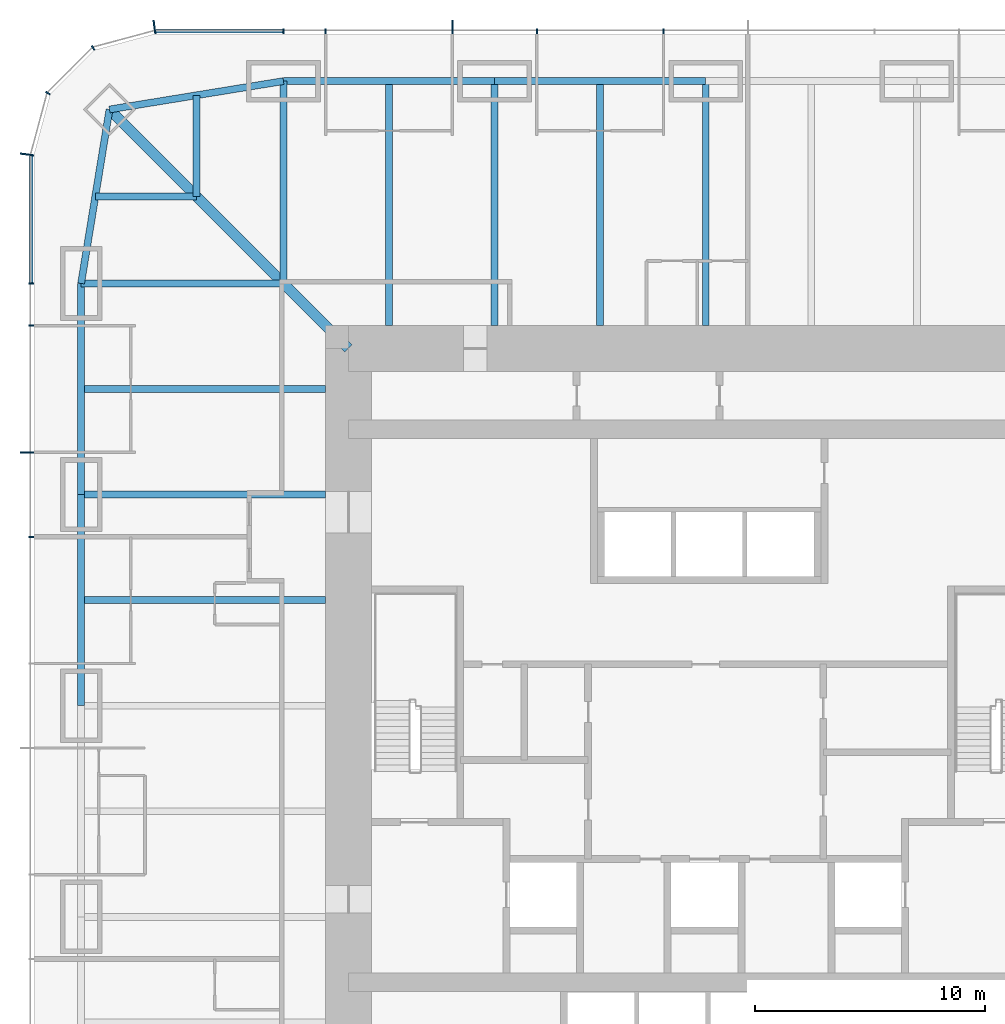
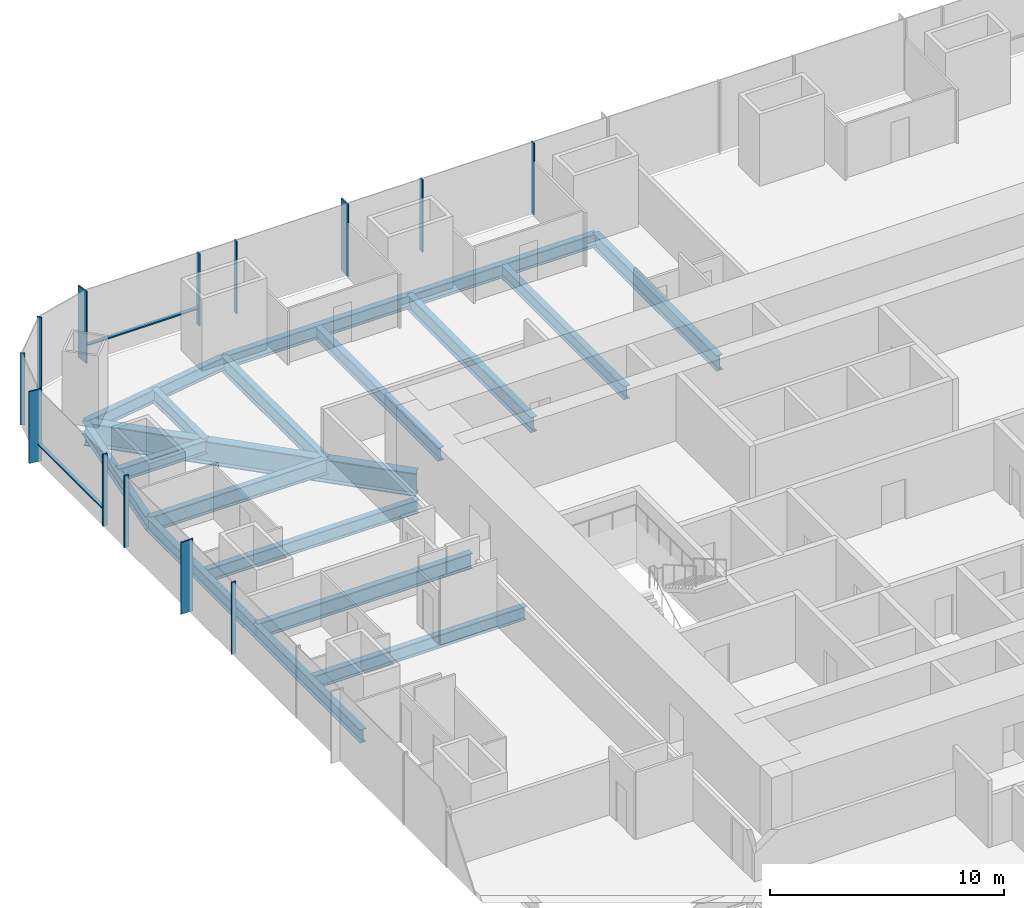
# One storey, part 5 of 13: 18 beams, 15 members, 3 elements without a shape of their own.
"""IFC4 building model written with IfcOpenShell, lengths in metres."""

from ifc_helpers import new_model, si_unit, direction, frame, origin, origin_2d, place, context, subcontext, project, spatial, rectangle, i_section, extrude, material, material_profile, profile_set, type_object, element, aggregate, save


model = new_model("IFC4")

# Units and contexts
model_context = context("Model", 3, precision=1e-05, world=origin(), true_north=direction((0.0, 1.0)))
body_context = subcontext(model_context, "Body", "Model", "MODEL_VIEW")
ifc_project = project(units=[si_unit("LENGTHUNIT", "METRE"), si_unit("AREAUNIT", "SQUARE_METRE"), si_unit("VOLUMEUNIT", "CUBIC_METRE"), si_unit("PLANEANGLEUNIT", "RADIAN"), si_unit("MASSUNIT", "GRAM", prefix="KILO")], contexts=[model_context])

# Site, building, storey
site_placement = place(None, origin())
site = spatial("IfcSite", under=ifc_project, at=site_placement, CompositionType="ELEMENT")
building_placement = place(site_placement, origin())
building = spatial("IfcBuilding", under=site, at=building_placement, Name="Khuree Lantern Residences", CompositionType="ELEMENT")
storey_placement = place(building_placement, frame((0.0, 0.0, 118.5)))
storey = spatial("IfcBuildingStorey", under=building, at=storey_placement, Name="L29", CompositionType="ELEMENT", Elevation=118.5)

# Beams
ifc_material_1 = material(Name="Steel S355", Category="steel")
ifc_material_profile_1 = material_profile(ifc_material_1, i_section(OverallWidth=0.300048828125, OverallDepth=0.68994140625, WebThickness=0.014404296875, FlangeThickness=0.027099609375, FilletRadius=0.027099609375, at=origin_2d()), Name="HE 700 A")
ifc_profile_set_1 = profile_set([ifc_material_profile_1], Name="Steel S355")
beam_type_1 = type_object("IfcBeamType", Name="B-21A SECONDARY BEAM HE 700 A", PredefinedType="BEAM", material=ifc_profile_set_1)
for number, where, z_axis, x_axis, name in (
    (1, (-13.739990234375, 27.10009765625, -0.594970703125), (0.0, -1.0, 0.0), (1.0, 0.0, 0.0), "Secondary beam N1"),
    (2, (-4.580078125, 27.10009765625, -0.594970703125), (0.0, -1.0, 0.0), (1.0, 0.0, 0.0), "Secondary beam N2"),
    (3, (-27.10009765625, 4.580078125, -0.594970703125), (1.0, 0.0, 0.0), (0.0, 1.0, 0.0), "Secondary beam W4"),
    (4, (-27.10009765625, 13.739990234375, -0.594970703125), (1.0, 0.0, 0.0), (0.0, 1.0, 0.0), "Secondary beam W5"),
):
    element("IfcBeam", number, at=place(storey_placement, frame(where, z_axis=z_axis, x_axis=x_axis)), inside=storey, type_object=beam_type_1, Name=name, PredefinedType="BEAM", context=body_context, shape_type="SweptSolid", body=[
        extrude(i_section(OverallWidth=0.300048828125, OverallDepth=0.68994140625, WebThickness=0.014404296875, FlangeThickness=0.027099609375, FilletRadius=0.027099609375, at=origin_2d()), origin(), (0.0, 0.0, 1.0), 10.60009765625),
    ])
for number, where, z_axis, x_axis, name in (
    (5, (-26.48486328125, 22.094970703125, -0.594970703125), (1.0, 0.0, 0.0), (0.0, 1.0, 0.0), "Secondary beam W6"),
    (6, (-22.094970703125, 26.48486328125, -0.594970703125), (0.0, -1.0, 0.0), (1.0, 0.0, 0.0), "Secondary beam N6"),
):
    element("IfcBeam", number, at=place(storey_placement, frame(where, z_axis=z_axis, x_axis=x_axis)), inside=storey, type_object=beam_type_1, Name=name, PredefinedType="BEAM", context=body_context, shape_type="SweptSolid", body=[
        extrude(i_section(OverallWidth=0.300048828125, OverallDepth=0.68994140625, WebThickness=0.014404296875, FlangeThickness=0.027099609375, FilletRadius=0.027099609375, at=origin_2d()), origin(), (0.0, 0.0, 1.0), 4.389892578125),
    ])
ifc_material_profile_2 = material_profile(ifc_material_1, i_section(OverallWidth=0.300048828125, OverallDepth=0.68994140625, WebThickness=0.014404296875, FlangeThickness=0.027099609375, FilletRadius=0.027099609375, at=origin_2d()), Name="HE 700 A")
ifc_profile_set_2 = profile_set([ifc_material_profile_2], Name="Steel S355")
beam_type_2 = type_object("IfcBeamType", Name="E-21 SPANDREL BEAM HE 700 A", PredefinedType="SPANDREL", material=ifc_profile_set_2)
beam_1_placement = place(storey_placement, frame((-18.320068359375, 27.10009765625, -0.594970703125), z_axis=(1.0, 0.0, 0.0), x_axis=(0.0, 1.0, 0.0)))
element("IfcBeam", 7, at=beam_1_placement, inside=storey, type_object=beam_type_2, Name="Spandrel beam N1", PredefinedType="SPANDREL", context=body_context, shape_type="SweptSolid", body=[
    extrude(i_section(OverallWidth=0.300048828125, OverallDepth=0.68994140625, WebThickness=0.014404296875, FlangeThickness=0.027099609375, FilletRadius=0.027099609375, at=origin_2d()), origin(), (0.0, 0.0, 1.0), 9.16015625),
])
for number, where, z_axis, x_axis, name in (
    (8, (-9.159912109375, 27.10009765625, -0.594970703125), (1.0, 0.0, 0.0), (0.0, 1.0, 0.0), "Spandrel beam N2"),
    (9, (-27.10009765625, 0.0, -0.594970703125), (0.0, 1.0, 0.0), (-1.0, 0.0, 0.0), "Spandrel beam W4"),
):
    element("IfcBeam", number, at=place(storey_placement, frame(where, z_axis=z_axis, x_axis=x_axis)), inside=storey, type_object=beam_type_2, Name=name, PredefinedType="SPANDREL", context=body_context, shape_type="SweptSolid", body=[
        extrude(i_section(OverallWidth=0.300048828125, OverallDepth=0.68994140625, WebThickness=0.014404296875, FlangeThickness=0.027099609375, FilletRadius=0.027099609375, at=origin_2d()), origin(), (0.0, 0.0, 1.0), 9.159912109375),
    ])
beam_2_placement = place(storey_placement, frame((-27.10009765625, 9.159912109375, -0.594970703125), z_axis=(0.0, 1.0, 0.0), x_axis=(-1.0, 0.0, 0.0)))
element("IfcBeam", 10, at=beam_2_placement, inside=storey, type_object=beam_type_2, Name="Spandrel beam W5", PredefinedType="SPANDREL", context=body_context, shape_type="SweptSolid", body=[
    extrude(i_section(OverallWidth=0.300048828125, OverallDepth=0.68994140625, WebThickness=0.014404296875, FlangeThickness=0.027099609375, FilletRadius=0.027099609375, at=origin_2d()), origin(), (0.0, 0.0, 1.0), 9.16015625),
])
for number, where, z_axis, x_axis, name in (
    (11, (-27.10009765625, 18.320068359375, -0.594970703125), (0.160826723833, 0.986982656839, 0.0), (-0.986982656839, 0.160826723833, 0.0), "Spandrel beam W6"),
    (12, (-25.869873046875, 25.869873046875, -0.594970703125), (0.986982656839, 0.160826723833, 0.0), (-0.160826723833, 0.986982656839, 0.0), "Spandrel beam N6"),
):
    element("IfcBeam", number, at=place(storey_placement, frame(where, z_axis=z_axis, x_axis=x_axis)), inside=storey, type_object=beam_type_2, Name=name, PredefinedType="SPANDREL", context=body_context, shape_type="SweptSolid", body=[
        extrude(i_section(OverallWidth=0.300048828125, OverallDepth=0.68994140625, WebThickness=0.014404296875, FlangeThickness=0.027099609375, FilletRadius=0.027099609375, at=origin_2d()), origin(), (0.0, 0.0, 1.0), 7.6494140625),
    ])

# Curtain wall, member
ifc_material_2 = material(Name="Bronze anodised aluminium", Category="aluminium")
curtain_wall_type_1 = type_object("IfcCurtainWallType", Name="CW-T1 TOWER FACE CURTAIN WALL", PredefinedType="USERDEFINED", material=ifc_material_2)
curtain_wall_1_placement = place(storey_placement, origin())
curtain_wall_1 = element("IfcCurtainWall", 13, at=curtain_wall_1_placement, inside=storey, type_object=curtain_wall_type_1, Name="L29 NORTH FACE CURTAIN WALL", ObjectType="Stick-built curtain wall", PredefinedType="USERDEFINED")
ifc_material_profile_3 = material_profile(ifc_material_2, rectangle(XDim=0.06494140625, YDim=0.60009765625, at=origin_2d()), Name="F1 65X600")
ifc_profile_set_3 = profile_set([ifc_material_profile_3], Name="Bronze anodised aluminium")
member_type_1 = type_object("IfcMemberType", Name="F1 BRONZE FIN MULLION TOWER 65X600", PredefinedType="MULLION", material=ifc_profile_set_3)
member_1_placement = place(storey_placement, frame((-10.991943359375, 29.449951171875, 0.0), z_axis=(0.0, 0.0, 1.0), x_axis=(-1.0, 0.0, 0.0)))
member_1 = element("IfcMember", 14, at=member_1_placement, type_object=member_type_1, Name="L29 NORTH FACE FIN MULLION 26", PredefinedType="MULLION", context=body_context, shape_type="SweptSolid", body=[
    extrude(rectangle(XDim=0.06494140625, YDim=0.60009765625, at=origin_2d()), origin(), (0.0, 0.0, 1.0), 3.75),
])

curtain_wall_type_2 = type_object("IfcCurtainWallType", Name="CW-T2 TOWER CORNER CURTAIN WALL", PredefinedType="USERDEFINED", material=ifc_material_2)
curtain_wall_2_placement = place(storey_placement, origin())
curtain_wall_2 = element("IfcCurtainWall", 15, at=curtain_wall_2_placement, inside=storey, type_object=curtain_wall_type_2, Name="L29 NORTH-WEST CORNER CURTAIN WALL", ObjectType="Faceted corner curtain wall", PredefinedType="USERDEFINED")
member_2_placement = place(storey_placement, frame((-23.919677734375, 29.4501953125, 0.0), z_axis=(0.0, 0.0, 1.0), x_axis=(-0.991444857305, -0.130526223125, 0.0)))
member_2 = element("IfcMember", 16, at=member_2_placement, type_object=member_type_1, Name="L29 NORTH-WEST CORNER FIN MULLION 29", PredefinedType="MULLION", context=body_context, shape_type="SweptSolid", body=[
    extrude(rectangle(XDim=0.06494140625, YDim=0.60009765625, at=origin_2d()), origin(), (0.0, 0.0, 1.0), 3.75),
])

# Curtain wall, members
curtain_wall_3_placement = place(storey_placement, origin())
curtain_wall_3 = element("IfcCurtainWall", 17, at=curtain_wall_3_placement, inside=storey, type_object=curtain_wall_type_1, Name="L29 WEST FACE CURTAIN WALL", ObjectType="Stick-built curtain wall", PredefinedType="USERDEFINED")
member_3_placement = place(storey_placement, frame((-29.4501953125, 23.919677734375, 0.0), z_axis=(0.0, 0.0, 1.0), x_axis=(-0.130526223125, -0.991444857305, 0.0)))
member_3 = element("IfcMember", 18, at=member_3_placement, type_object=member_type_1, Name="L29 WEST FACE FIN MULLION 32", PredefinedType="MULLION", context=body_context, shape_type="SweptSolid", body=[
    extrude(rectangle(XDim=0.06494140625, YDim=0.60009765625, at=origin_2d()), origin(), (0.0, 0.0, 1.0), 3.75),
])
member_4_placement = place(storey_placement, frame((-29.449951171875, 10.991943359375, 0.0), z_axis=(0.0, 0.0, 1.0), x_axis=(0.0, -1.0, 0.0)))
member_4 = element("IfcMember", 19, at=member_4_placement, type_object=member_type_1, Name="L29 WEST FACE FIN MULLION 35", PredefinedType="MULLION", context=body_context, shape_type="SweptSolid", body=[
    extrude(rectangle(XDim=0.06494140625, YDim=0.60009765625, at=origin_2d()), origin(), (0.0, 0.0, 1.0), 3.75),
])

# Beams
ifc_material_profile_4 = material_profile(ifc_material_1, i_section(OverallWidth=0.300048828125, OverallDepth=0.800048828125, WebThickness=0.017578125, FlangeThickness=0.032958984375, FilletRadius=0.030029296875, at=origin_2d()), Name="HE 800 B")
ifc_profile_set_4 = profile_set([ifc_material_profile_4], Name="Steel S355")
beam_type_3 = type_object("IfcBeamType", Name="G-21 GIRDER HE 800 B", PredefinedType="BEAM", material=ifc_profile_set_4)
beam_3_placement = place(storey_placement, frame((-18.320068359375, 27.10009765625, -0.64990234375), z_axis=(0.0, -1.0, 0.0), x_axis=(1.0, 0.0, 0.0)))
element("IfcBeam", 20, at=beam_3_placement, inside=storey, type_object=beam_type_3, Name="Girder N1", PredefinedType="BEAM", context=body_context, shape_type="SweptSolid", body=[
    extrude(i_section(OverallWidth=0.300048828125, OverallDepth=0.800048828125, WebThickness=0.017578125, FlangeThickness=0.032958984375, FilletRadius=0.030029296875, at=origin_2d()), origin(), (0.0, 0.0, 1.0), 8.780029296875),
])
for number, where, z_axis, x_axis, name in (
    (21, (-9.159912109375, 27.10009765625, -0.64990234375), (0.0, -1.0, 0.0), (1.0, 0.0, 0.0), "Girder N2"),
    (22, (0.0, 27.10009765625, -0.64990234375), (0.0, -1.0, 0.0), (1.0, 0.0, 0.0), "Girder N3"),
    (23, (-27.10009765625, 9.159912109375, -0.64990234375), (1.0, 0.0, 0.0), (0.0, 1.0, 0.0), "Girder W4"),
):
    element("IfcBeam", number, at=place(storey_placement, frame(where, z_axis=z_axis, x_axis=x_axis)), inside=storey, type_object=beam_type_3, Name=name, PredefinedType="BEAM", context=body_context, shape_type="SweptSolid", body=[
        extrude(i_section(OverallWidth=0.300048828125, OverallDepth=0.800048828125, WebThickness=0.017578125, FlangeThickness=0.032958984375, FilletRadius=0.030029296875, at=origin_2d()), origin(), (0.0, 0.0, 1.0), 10.60009765625),
    ])
beam_4_placement = place(storey_placement, frame((-27.10009765625, 18.320068359375, -0.64990234375), z_axis=(1.0, 0.0, 0.0), x_axis=(0.0, 1.0, 0.0)))
element("IfcBeam", 24, at=beam_4_placement, inside=storey, type_object=beam_type_3, Name="Girder W5", PredefinedType="BEAM", context=body_context, shape_type="SweptSolid", body=[
    extrude(i_section(OverallWidth=0.300048828125, OverallDepth=0.800048828125, WebThickness=0.017578125, FlangeThickness=0.032958984375, FilletRadius=0.030029296875, at=origin_2d()), origin(), (0.0, 0.0, 1.0), 8.780029296875),
])
ifc_material_profile_5 = material_profile(ifc_material_1, i_section(OverallWidth=0.449951171875, OverallDepth=1.199951171875, WebThickness=0.02490234375, FlangeThickness=0.044921875, at=origin_2d()), Name="WELDED I 1200X450X25X45")
ifc_profile_set_5 = profile_set([ifc_material_profile_5], Name="Steel S355")
beam_type_4 = type_object("IfcBeamType", Name="GD-21 CORNER GIRDER WELDED I 1200X450X25X45", PredefinedType="BEAM", material=ifc_profile_set_5)
beam_5_placement = place(storey_placement, frame((-25.869873046875, 25.869873046875, -0.85009765625), z_axis=(0.707106781187, -0.707106781187, 0.0), x_axis=(0.707106781187, 0.707106781187, 0.0)))
element("IfcBeam", 25, at=beam_5_placement, inside=storey, type_object=beam_type_4, Name="Corner girder NW", PredefinedType="BEAM", context=body_context, shape_type="SweptSolid", body=[
    extrude(i_section(OverallWidth=0.449951171875, OverallDepth=1.199951171875, WebThickness=0.02490234375, FlangeThickness=0.044921875, at=origin_2d()), origin(), (0.0, 0.0, 1.0), 14.665283203125),
])

# Member
ifc_material_profile_6 = material_profile(ifc_material_2, rectangle(XDim=0.06494140625, YDim=0.219970703125, at=origin_2d()), Name="M1 65X220")
ifc_profile_set_6 = profile_set([ifc_material_profile_6], Name="Bronze anodised aluminium")
member_type_2 = type_object("IfcMemberType", Name="M1 BRONZE MULLION TOWER 65X220", PredefinedType="MULLION", material=ifc_profile_set_6)
member_5_placement = place(storey_placement, frame((-1.83203125, 29.260009765625, 0.0), z_axis=(0.0, 0.0, 1.0), x_axis=(-1.0, 0.0, 0.0)))
member_5 = element("IfcMember", 26, at=member_5_placement, type_object=member_type_2, Name="L29 NORTH FACE MULLION 24", PredefinedType="MULLION", context=body_context, shape_type="SweptSolid", body=[
    extrude(rectangle(XDim=0.06494140625, YDim=0.219970703125, at=origin_2d()), origin(), (0.0, 0.0, 1.0), 3.75),
])

member_6_placement = place(storey_placement, frame((-7.327880859375, 29.260009765625, 0.0), z_axis=(0.0, 0.0, 1.0), x_axis=(-1.0, 0.0, 0.0)))
member_6 = element("IfcMember", 27, at=member_6_placement, type_object=member_type_2, Name="L29 NORTH FACE MULLION 25", PredefinedType="MULLION", context=body_context, shape_type="SweptSolid", body=[
    extrude(rectangle(XDim=0.06494140625, YDim=0.219970703125, at=origin_2d()), origin(), (0.0, 0.0, 1.0), 3.75),
])

member_7_placement = place(storey_placement, frame((-16.488037109375, 29.260009765625, 0.0), z_axis=(0.0, 0.0, 1.0), x_axis=(-1.0, 0.0, 0.0)))
member_7 = element("IfcMember", 28, at=member_7_placement, type_object=member_type_2, Name="L29 NORTH FACE MULLION 27", PredefinedType="MULLION", context=body_context, shape_type="SweptSolid", body=[
    extrude(rectangle(XDim=0.06494140625, YDim=0.219970703125, at=origin_2d()), origin(), (0.0, 0.0, 1.0), 3.75),
])

member_8_placement = place(storey_placement, frame((-18.320068359375, 29.260009765625, 0.0), z_axis=(0.0, 0.0, 1.0), x_axis=(-1.0, 0.0, 0.0)))
member_8 = element("IfcMember", 29, at=member_8_placement, type_object=member_type_2, Name="L29 NORTH FACE MULLION 28", PredefinedType="MULLION", context=body_context, shape_type="SweptSolid", body=[
    extrude(rectangle(XDim=0.06494140625, YDim=0.219970703125, at=origin_2d()), origin(), (0.0, 0.0, 1.0), 3.75),
])

member_9_placement = place(storey_placement, frame((-26.580078125, 28.5419921875, 0.0), z_axis=(0.0, 0.0, 1.0), x_axis=(-0.866025388199, -0.500000026995, 0.0)))
member_9 = element("IfcMember", 30, at=member_9_placement, type_object=member_type_2, Name="L29 NORTH-WEST CORNER MULLION 30", PredefinedType="MULLION", context=body_context, shape_type="SweptSolid", body=[
    extrude(rectangle(XDim=0.06494140625, YDim=0.219970703125, at=origin_2d()), origin(), (0.0, 0.0, 1.0), 3.75),
])

member_10_placement = place(storey_placement, frame((-28.5419921875, 26.580078125, 0.0), z_axis=(0.0, 0.0, 1.0), x_axis=(-0.500000026995, -0.866025388199, 0.0)))
member_10 = element("IfcMember", 31, at=member_10_placement, type_object=member_type_2, Name="L29 NORTH-WEST CORNER MULLION 31", PredefinedType="MULLION", context=body_context, shape_type="SweptSolid", body=[
    extrude(rectangle(XDim=0.06494140625, YDim=0.219970703125, at=origin_2d()), origin(), (0.0, 0.0, 1.0), 3.75),
])

aggregate(curtain_wall_2, [member_2, member_9, member_10])

member_11_placement = place(storey_placement, frame((-29.260009765625, 18.320068359375, 0.0), z_axis=(0.0, 0.0, 1.0), x_axis=(0.0, -1.0, 0.0)))
member_11 = element("IfcMember", 32, at=member_11_placement, type_object=member_type_2, Name="L29 WEST FACE MULLION 33", PredefinedType="MULLION", context=body_context, shape_type="SweptSolid", body=[
    extrude(rectangle(XDim=0.06494140625, YDim=0.219970703125, at=origin_2d()), origin(), (0.0, 0.0, 1.0), 3.75),
])

member_12_placement = place(storey_placement, frame((-29.260009765625, 16.488037109375, 0.0), z_axis=(0.0, 0.0, 1.0), x_axis=(0.0, -1.0, 0.0)))
member_12 = element("IfcMember", 33, at=member_12_placement, type_object=member_type_2, Name="L29 WEST FACE MULLION 34", PredefinedType="MULLION", context=body_context, shape_type="SweptSolid", body=[
    extrude(rectangle(XDim=0.06494140625, YDim=0.219970703125, at=origin_2d()), origin(), (0.0, 0.0, 1.0), 3.75),
])

member_13_placement = place(storey_placement, frame((-29.260009765625, 7.327880859375, 0.0), z_axis=(0.0, 0.0, 1.0), x_axis=(0.0, -1.0, 0.0)))
member_13 = element("IfcMember", 34, at=member_13_placement, type_object=member_type_2, Name="L29 WEST FACE MULLION 36", PredefinedType="MULLION", context=body_context, shape_type="SweptSolid", body=[
    extrude(rectangle(XDim=0.06494140625, YDim=0.219970703125, at=origin_2d()), origin(), (0.0, 0.0, 1.0), 3.75),
])

ifc_material_profile_7 = material_profile(ifc_material_2, rectangle(XDim=0.179931640625, YDim=0.06494140625, at=origin_2d()), Name="T1 180X65")
ifc_profile_set_7 = profile_set([ifc_material_profile_7], Name="Bronze anodised aluminium")
member_type_3 = type_object("IfcMemberType", Name="TRANSOM T1 TOWER 180X65", PredefinedType="USERDEFINED", material=ifc_profile_set_7)
member_14_placement = place(storey_placement, frame((-18.3525390625, 29.27001953125, 0.89990234375), z_axis=(-1.0, 0.0, 0.0), x_axis=(0.0, -1.0, 0.0)))
member_14 = element("IfcMember", 35, at=member_14_placement, type_object=member_type_3, Name="L29 NORTH FACE TRANSOM 28.1", ObjectType="Transom", PredefinedType="USERDEFINED", context=body_context, shape_type="SweptSolid", body=[
    extrude(rectangle(XDim=0.179931640625, YDim=0.06494140625, at=origin_2d()), origin(), (0.0, 0.0, 1.0), 5.498779296875),
])

aggregate(curtain_wall_1, [member_5, member_6, member_1, member_7, member_8, member_14])

member_15_placement = place(storey_placement, frame((-29.27001953125, 23.851318359375, 0.89990234375), z_axis=(0.0, -1.0, 0.0), x_axis=(1.0, 0.0, 0.0)))
member_15 = element("IfcMember", 36, at=member_15_placement, type_object=member_type_3, Name="L29 WEST FACE TRANSOM 32.1", ObjectType="Transom", PredefinedType="USERDEFINED", context=body_context, shape_type="SweptSolid", body=[
    extrude(rectangle(XDim=0.179931640625, YDim=0.06494140625, at=origin_2d()), origin(), (0.0, 0.0, 1.0), 5.498779296875),
])

aggregate(curtain_wall_3, [member_3, member_11, member_12, member_4, member_13, member_15])

save(model, "model.ifc")
